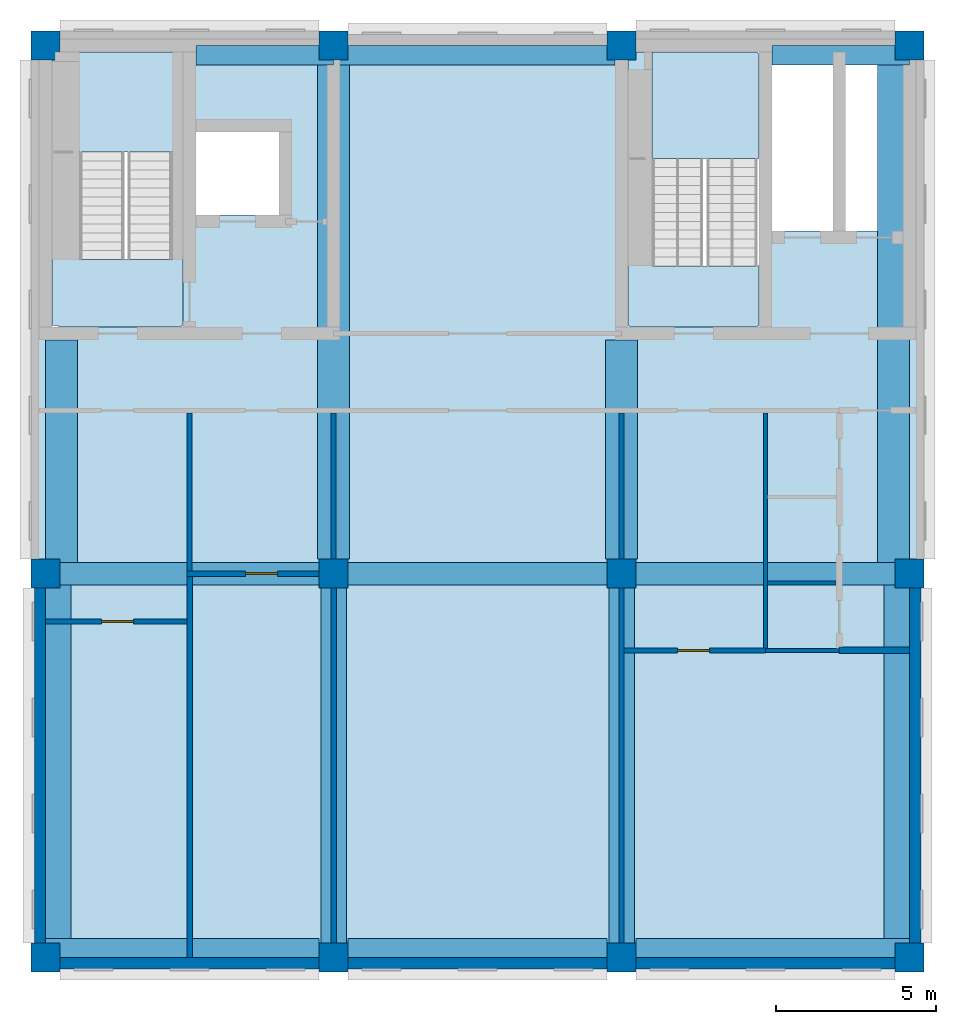
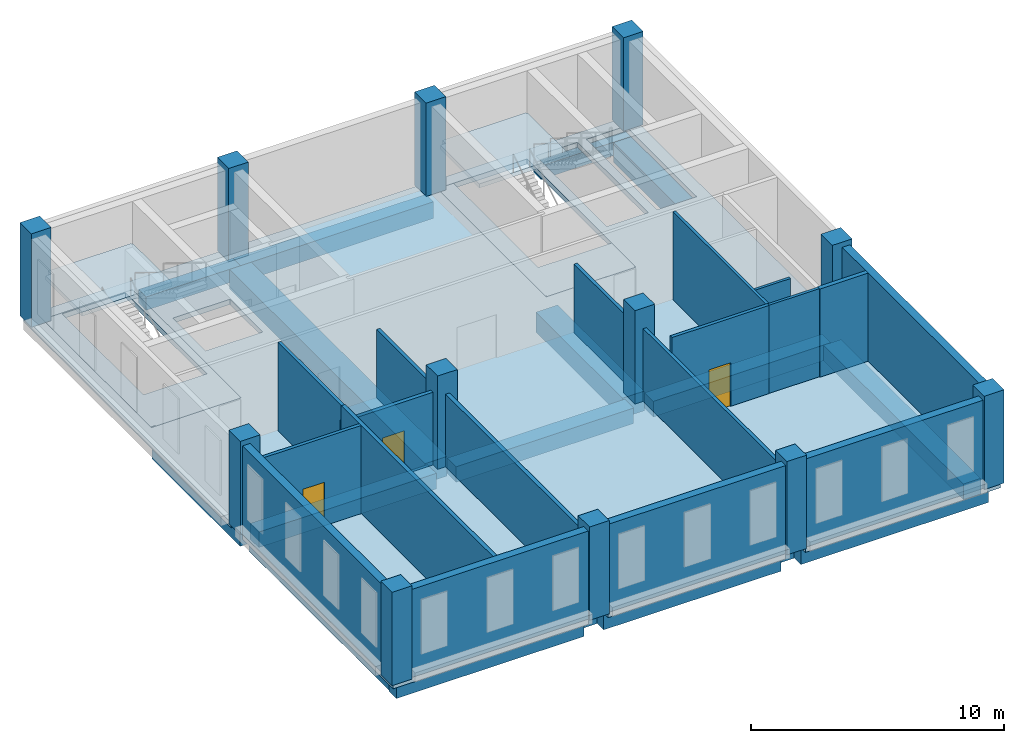
# One storey, part 1 of 5: 18 walls, 17 beams, 12 columns, 5 slabs, 3 doors, 3 openings, 2 elements without a shape of their own.
"""IFC4 building model written with IfcOpenShell, lengths in metres."""

from ifc_helpers import new_model, si_unit, direction, frame, frame_2d, origin, origin_2d, place, context, subcontext, project, spatial, polyline, rectangle, outline, extrude, material, layer, layer_set, material_profile, profile_set, type_object, element, fill, aggregate, save


model = new_model("IFC4")

# Units and contexts
model_context = context("Model", 3, precision=1e-05, world=origin(), true_north=direction((0.0, 1.0)))
body_context = subcontext(model_context, "Body", "Model", "MODEL_VIEW")
ifc_project = project(units=[si_unit("LENGTHUNIT", "METRE"), si_unit("AREAUNIT", "SQUARE_METRE"), si_unit("VOLUMEUNIT", "CUBIC_METRE"), si_unit("PLANEANGLEUNIT", "RADIAN"), si_unit("MASSUNIT", "GRAM", prefix="KILO")], contexts=[model_context])

# Site, building, storey
site_placement = place(None, origin())
site = spatial("IfcSite", under=ifc_project, at=site_placement, CompositionType="ELEMENT")
building_placement = place(site_placement, origin())
building = spatial("IfcBuilding", under=site, at=building_placement, Name="Aurelan Courthouse", CompositionType="ELEMENT")
storey_placement = place(building_placement, frame((0.0, 0.0, 53.39990234375)))
storey = spatial("IfcBuildingStorey", under=building, at=storey_placement, Name="L10", CompositionType="ELEMENT", Elevation=53.39990234375)

# Columns
ifc_material_1 = material(Name="Concrete C50", Category="concrete")
ifc_material_profile_1 = material_profile(ifc_material_1, rectangle(XDim=0.89990234375, YDim=0.89990234375, at=origin_2d()), Name="RC 900 x 900")
ifc_profile_set_1 = profile_set([ifc_material_profile_1], Name="Concrete C50")
column_type = type_object("IfcColumnType", Name="RC column 900 x 900 C50", PredefinedType="COLUMN", material=ifc_profile_set_1)
for number, where, z_axis, x_axis, name in (
    (1, (0.0, 0.0, 0.0), (0.0, 0.0, 1.0), (1.0, 0.0, 0.0), "Column C-A1-D"),
    (2, (9.0, 0.0, 0.0), (0.0, 0.0, 1.0), (1.0, 0.0, 0.0), "Column C-A2-D"),
    (3, (18.0, 0.0, 0.0), (0.0, 0.0, 1.0), (1.0, 0.0, 0.0), "Column C-A3-D"),
    (4, (27.0, 0.0, 0.0), (0.0, 0.0, 1.0), (1.0, 0.0, 0.0), "Column C-A4-D"),
    (5, (0.0, 12.0, 0.0), (0.0, 0.0, 1.0), (1.0, 0.0, 0.0), "Column C-B1-D"),
    (6, (9.0, 12.0, 0.0), (0.0, 0.0, 1.0), (1.0, 0.0, 0.0), "Column C-B2-D"),
    (7, (18.0, 12.0, 0.0), (0.0, 0.0, 1.0), (1.0, 0.0, 0.0), "Column C-B3-D"),
    (8, (27.0, 12.0, 0.0), (0.0, 0.0, 1.0), (1.0, 0.0, 0.0), "Column C-B4-D"),
    (9, (0.0, 28.5, 0.0), (0.0, 0.0, 1.0), (1.0, 0.0, 0.0), "Column C-C1-D"),
    (10, (9.0, 28.5, 0.0), (0.0, 0.0, 1.0), (1.0, 0.0, 0.0), "Column C-C2-D"),
    (11, (18.0, 28.5, 0.0), (0.0, 0.0, 1.0), (1.0, 0.0, 0.0), "Column C-C3-D"),
    (12, (27.0, 28.5, 0.0), (0.0, 0.0, 1.0), (1.0, 0.0, 0.0), "Column C-C4-D"),
):
    element("IfcColumn", number, at=place(storey_placement, frame(where, z_axis=z_axis, x_axis=x_axis)), inside=storey, type_object=column_type, Name=name, PredefinedType="COLUMN", context=body_context, shape_type="SweptSolid", body=[
        extrude(rectangle(XDim=0.89990234375, YDim=0.89990234375, at=origin_2d()), origin(), (0.0, 0.0, 1.0), 4.5),
    ])

# Beams
ifc_material_profile_2 = material_profile(ifc_material_1, rectangle(XDim=0.699951171875, YDim=0.75, at=origin_2d()), Name="RC 700 x 750")
ifc_profile_set_2 = profile_set([ifc_material_profile_2], Name="Concrete C50")
beam_type_1 = type_object("IfcBeamType", Name="PT beam 700 x 750", PredefinedType="BEAM", material=ifc_profile_set_2)
for number, where, z_axis, x_axis, name in (
    (13, (0.449951171875, 12.0, -0.625), (1.0, 0.0, 0.0), (0.0, 1.0, 0.0), "Beam EB-B-1-2"),
    (14, (9.449951171875, 12.0, -0.625), (1.0, 0.0, 0.0), (0.0, 1.0, 0.0), "Beam EB-B-2-3"),
    (15, (18.449951171875, 12.0, -0.625), (1.0, 0.0, 0.0), (0.0, 1.0, 0.0), "Beam EB-B-3-4"),
):
    element("IfcBeam", number, at=place(storey_placement, frame(where, z_axis=z_axis, x_axis=x_axis)), inside=storey, type_object=beam_type_1, Name=name, PredefinedType="BEAM", context=body_context, shape_type="SweptSolid", body=[
        extrude(rectangle(XDim=0.699951171875, YDim=0.75, at=origin_2d()), origin(), (0.0, 0.0, 1.0), 8.10009765625),
    ])
ifc_material_profile_3 = material_profile(ifc_material_1, rectangle(XDim=1.0, YDim=0.949951171875, at=origin_2d()), Name="RC 1000 x 950")
ifc_profile_set_3 = profile_set([ifc_material_profile_3], Name="Concrete C50")
beam_type_2 = type_object("IfcBeamType", Name="PT girder 1000 x 950", PredefinedType="BEAM", material=ifc_profile_set_3)
beam_1_placement = place(storey_placement, frame((0.5, 12.35009765625, -0.724853515625), z_axis=(0.0, 1.0, 0.0), x_axis=(-1.0, 0.0, 0.0)))
element("IfcBeam", 16, at=beam_1_placement, inside=storey, type_object=beam_type_2, Name="Girder GB-1BC-E", PredefinedType="BEAM", context=body_context, shape_type="SweptSolid", body=[
    extrude(rectangle(XDim=1.0, YDim=0.949951171875, at=origin_2d()), origin(), (0.0, 0.0, 1.0), 6.949951171875),
])
beam_2_placement = place(storey_placement, frame((9.0, 12.449951171875, -0.724853515625), z_axis=(0.0, 1.0, 0.0), x_axis=(-1.0, 0.0, 0.0)))
element("IfcBeam", 17, at=beam_2_placement, inside=storey, type_object=beam_type_2, Name="Girder GB-2BC", PredefinedType="BEAM", context=body_context, shape_type="SweptSolid", body=[
    extrude(rectangle(XDim=1.0, YDim=0.949951171875, at=origin_2d()), origin(), (0.0, 0.0, 1.0), 15.449951171875),
])
beam_3_placement = place(storey_placement, frame((18.0, 12.449951171875, -0.724853515625), z_axis=(0.0, 1.0, 0.0), x_axis=(-1.0, 0.0, 0.0)))
element("IfcBeam", 18, at=beam_3_placement, inside=storey, type_object=beam_type_2, Name="Girder GB-3BC", PredefinedType="BEAM", context=body_context, shape_type="SweptSolid", body=[
    extrude(rectangle(XDim=1.0, YDim=0.949951171875, at=origin_2d()), origin(), (0.0, 0.0, 1.0), 6.85009765625),
])
beam_4_placement = place(storey_placement, frame((26.5, 12.35009765625, -0.724853515625), z_axis=(0.0, 1.0, 0.0), x_axis=(-1.0, 0.0, 0.0)))
element("IfcBeam", 19, at=beam_4_placement, inside=storey, type_object=beam_type_2, Name="Girder GB-4BC-E", PredefinedType="BEAM", context=body_context, shape_type="SweptSolid", body=[
    extrude(rectangle(XDim=1.0, YDim=0.949951171875, at=origin_2d()), origin(), (0.0, 0.0, 1.0), 15.5498046875),
])
ifc_material_profile_4 = material_profile(ifc_material_1, rectangle(XDim=0.800048828125, YDim=0.75, at=origin_2d()), Name="RC 800 x 750")
ifc_profile_set_4 = profile_set([ifc_material_profile_4], Name="Concrete C50")
beam_type_3 = type_object("IfcBeamType", Name="PT girder 800 x 750", PredefinedType="BEAM", material=ifc_profile_set_4)
beam_5_placement = place(storey_placement, frame((0.39990234375, 0.60009765625, -0.625), z_axis=(0.0, 1.0, 0.0), x_axis=(-1.0, 0.0, 0.0)))
element("IfcBeam", 20, at=beam_5_placement, inside=storey, type_object=beam_type_3, Name="Girder GB-1AB-E", PredefinedType="BEAM", context=body_context, shape_type="SweptSolid", body=[
    extrude(rectangle(XDim=0.800048828125, YDim=0.75, at=origin_2d()), origin(), (0.0, 0.0, 1.0), 11.0498046875),
])
for number, where, z_axis, x_axis, name in (
    (21, (9.0, 0.449951171875, -0.625), (0.0, 1.0, 0.0), (-1.0, 0.0, 0.0), "Girder GB-2AB"),
    (22, (18.0, 0.449951171875, -0.625), (0.0, 1.0, 0.0), (-1.0, 0.0, 0.0), "Girder GB-3AB"),
):
    element("IfcBeam", number, at=place(storey_placement, frame(where, z_axis=z_axis, x_axis=x_axis)), inside=storey, type_object=beam_type_3, Name=name, PredefinedType="BEAM", context=body_context, shape_type="SweptSolid", body=[
        extrude(rectangle(XDim=0.800048828125, YDim=0.75, at=origin_2d()), origin(), (0.0, 0.0, 1.0), 11.10009765625),
    ])
beam_6_placement = place(storey_placement, frame((26.60009765625, 0.60009765625, -0.625), z_axis=(0.0, 1.0, 0.0), x_axis=(-1.0, 0.0, 0.0)))
element("IfcBeam", 23, at=beam_6_placement, inside=storey, type_object=beam_type_3, Name="Girder GB-4AB-E", PredefinedType="BEAM", context=body_context, shape_type="SweptSolid", body=[
    extrude(rectangle(XDim=0.800048828125, YDim=0.75, at=origin_2d()), origin(), (0.0, 0.0, 1.0), 11.0498046875),
])
ifc_material_profile_5 = material_profile(ifc_material_1, rectangle(XDim=0.60009765625, YDim=0.64990234375, at=origin_2d()), Name="RC 600 x 650")
ifc_profile_set_5 = profile_set([ifc_material_profile_5], Name="Concrete C50")
beam_type_4 = type_object("IfcBeamType", Name="RC spandrel beam 600 x 650", PredefinedType="SPANDREL", material=ifc_profile_set_5)
for number, where, z_axis, x_axis, name in (
    (24, (4.699951171875, 28.199951171875, -0.574951171875), (1.0, 0.0, 0.0), (0.0, 1.0, 0.0), "Spandrel beam SB-C-1-2"),
    (25, (22.699951171875, 28.199951171875, -0.574951171875), (1.0, 0.0, 0.0), (0.0, 1.0, 0.0), "Spandrel beam SB-C-3-4"),
):
    element("IfcBeam", number, at=place(storey_placement, frame(where, z_axis=z_axis, x_axis=x_axis)), inside=storey, type_object=beam_type_4, Name=name, PredefinedType="SPANDREL", context=body_context, shape_type="SweptSolid", body=[
        extrude(rectangle(XDim=0.60009765625, YDim=0.64990234375, at=origin_2d()), origin(), (0.0, 0.0, 1.0), 4.300048828125),
    ])
ifc_material_profile_6 = material_profile(ifc_material_1, rectangle(XDim=0.60009765625, YDim=0.800048828125, at=origin_2d()), Name="RC 600 x 800")
ifc_profile_set_6 = profile_set([ifc_material_profile_6], Name="Concrete C50")
beam_type_5 = type_object("IfcBeamType", Name="RC spandrel beam 600 x 800", PredefinedType="SPANDREL", material=ifc_profile_set_6)
beam_7_placement = place(storey_placement, frame((0.0, 0.300048828125, -0.64990234375), z_axis=(1.0, 0.0, 0.0), x_axis=(0.0, 1.0, 0.0)))
element("IfcBeam", 26, at=beam_7_placement, inside=storey, type_object=beam_type_5, Name="Spandrel beam SB-A-1-2", PredefinedType="SPANDREL", context=body_context, shape_type="SweptSolid", body=[
    extrude(rectangle(XDim=0.60009765625, YDim=0.800048828125, at=origin_2d()), origin(), (0.0, 0.0, 1.0), 8.550048828125),
])
beam_8_placement = place(storey_placement, frame((9.449951171875, 0.300048828125, -0.64990234375), z_axis=(1.0, 0.0, 0.0), x_axis=(0.0, 1.0, 0.0)))
element("IfcBeam", 27, at=beam_8_placement, inside=storey, type_object=beam_type_5, Name="Spandrel beam SB-A-2-3", PredefinedType="SPANDREL", context=body_context, shape_type="SweptSolid", body=[
    extrude(rectangle(XDim=0.60009765625, YDim=0.800048828125, at=origin_2d()), origin(), (0.0, 0.0, 1.0), 8.10009765625),
])
beam_9_placement = place(storey_placement, frame((18.449951171875, 0.300048828125, -0.64990234375), z_axis=(1.0, 0.0, 0.0), x_axis=(0.0, 1.0, 0.0)))
element("IfcBeam", 28, at=beam_9_placement, inside=storey, type_object=beam_type_5, Name="Spandrel beam SB-A-3-4", PredefinedType="SPANDREL", context=body_context, shape_type="SweptSolid", body=[
    extrude(rectangle(XDim=0.60009765625, YDim=0.800048828125, at=origin_2d()), origin(), (0.0, 0.0, 1.0), 8.550048828125),
])
beam_10_placement = place(storey_placement, frame((9.0, 28.199951171875, -0.64990234375), z_axis=(1.0, 0.0, 0.0), x_axis=(0.0, 1.0, 0.0)))
element("IfcBeam", 29, at=beam_10_placement, inside=storey, type_object=beam_type_5, Name="Spandrel beam SB-C-2-3", PredefinedType="SPANDREL", context=body_context, shape_type="SweptSolid", body=[
    extrude(rectangle(XDim=0.60009765625, YDim=0.800048828125, at=origin_2d()), origin(), (0.0, 0.0, 1.0), 8.800048828125),
])

# Slab
ifc_material_2 = material(Name="Concrete C40", Category="concrete")
ifc_layer_1 = layer(ifc_material_2, 0.25)
ifc_layer_set_1 = layer_set([ifc_layer_1], Name="Concrete C40")
slab_type_1 = type_object("IfcSlabType", Name="PT floor slab 250", PredefinedType="FLOOR", material=ifc_layer_set_1)
slab_1_placement = place(storey_placement, frame((0.0, 0.0, -0.25)))
element("IfcSlab", 30, at=slab_1_placement, inside=storey, type_object=slab_type_1, Name="Floor slab SL-L10-01", PredefinedType="FLOOR", context=body_context, shape_type="SweptSolid", body=[
    extrude(outline(polyline([(0.0, 12.449951171875), (0.0, 11.550048828125), (-0.35009765625, 11.550048828125), (-0.35009765625, 0.449951171875), (-0.35009765625, -0.35009765625), (0.449951171875, -0.35009765625), (8.550048828125, -0.35009765625), (8.550048828125, 0.0), (9.449951171875, 0.0), (9.449951171875, -0.35009765625), (17.550048828125, -0.35009765625), (17.550048828125, 0.0), (18.449951171875, 0.0), (18.449951171875, -0.35009765625), (26.550048828125, -0.35009765625), (27.35009765625, -0.35009765625), (27.35009765625, 0.449951171875), (27.35009765625, 11.550048828125), (27.0, 11.550048828125), (27.0, 12.449951171875), (27.35009765625, 12.449951171875), (27.35009765625, 28.050048828125), (27.35009765625, 28.85009765625), (26.550048828125, 28.85009765625), (18.449951171875, 28.85009765625), (18.449951171875, 28.5), (17.550048828125, 28.5), (17.550048828125, 28.85009765625), (9.449951171875, 28.85009765625), (9.449951171875, 28.5), (8.550048828125, 28.5), (8.550048828125, 28.85009765625), (0.449951171875, 28.85009765625), (-0.35009765625, 28.85009765625), (-0.35009765625, 28.050048828125), (-0.35009765625, 12.449951171875), (0.0, 12.449951171875)]), holes=[polyline([(26.800048828125, 28.300048828125), (26.800048828125, 22.699951171875), (25.0, 22.699951171875), (25.0, 28.300048828125), (26.800048828125, 28.300048828125)]), polyline([(22.699951171875, 28.300048828125), (24.60009765625, 28.300048828125), (24.60009765625, 22.699951171875), (22.699951171875, 22.699951171875), (22.699951171875, 28.300048828125)]), polyline([(22.300048828125, 28.300048828125), (22.300048828125, 19.699951171875), (18.199951171875, 19.699951171875), (18.199951171875, 28.300048828125), (22.300048828125, 28.300048828125)]), polyline([(4.699951171875, 23.199951171875), (4.699951171875, 25.800048828125), (7.300048828125, 25.800048828125), (7.300048828125, 23.199951171875), (4.699951171875, 23.199951171875)]), polyline([(4.300048828125, 19.699951171875), (0.199951171875, 19.699951171875), (0.199951171875, 28.300048828125), (4.300048828125, 28.300048828125), (4.300048828125, 19.699951171875)])]), origin(), (0.0, 0.0, 1.0), 0.25),
])

# Stair, slab
ifc_material_3 = material(Name="Concrete C30", Category="concrete")
stair_type_1 = type_object("IfcStairType", Name="Half-turn stair 1600 wide 26 risers", PredefinedType="HALF_TURN_STAIR", material=ifc_material_3)
stair_1_placement = place(storey_placement, origin())
stair_1 = element("IfcStair", 31, at=stair_1_placement, inside=storey, type_object=stair_type_1, Name="Stair ST-5A-L10", PredefinedType="HALF_TURN_STAIR")
ifc_layer_2 = layer(ifc_material_3, 0.25)
ifc_layer_set_2 = layer_set([ifc_layer_2], Name="Concrete C30")
slab_type_2 = type_object("IfcSlabType", Name="Stair floor landing 250 thick", PredefinedType="LANDING", material=ifc_layer_set_2)
slab_2_placement = place(storey_placement, frame((0.0, 0.0, -0.25)))
slab_2 = element("IfcSlab", 32, at=slab_2_placement, type_object=slab_type_2, Name="Stair ST-5A-L10 floor landing", PredefinedType="LANDING", context=body_context, shape_type="SweptSolid", body=[
    extrude(outline(polyline([(22.300048828125, 21.611083984375), (22.300048828125, 19.75), (22.25, 19.75), (22.25, 19.699951171875), (18.25, 19.699951171875), (18.25, 19.75), (18.199951171875, 19.75), (18.199951171875, 28.050048828125), (18.449951171875, 28.050048828125), (18.449951171875, 28.300048828125), (18.949951171875, 28.300048828125), (18.949951171875, 28.25), (18.949951171875, 28.239990234375), (18.949951171875, 21.611083984375), (20.64990234375, 21.611083984375), (22.239990234375, 21.611083984375), (22.25, 21.611083984375), (22.300048828125, 21.611083984375)])), origin(), (0.0, 0.0, 1.0), 0.25),
])

stair_type_2 = type_object("IfcStairType", Name="Half-turn stair 1400 wide 26 risers", PredefinedType="HALF_TURN_STAIR", material=ifc_material_3)
stair_2_placement = place(storey_placement, origin())
stair_2 = element("IfcStair", 33, at=stair_2_placement, inside=storey, type_object=stair_type_2, Name="Stair ST-5B-L10", PredefinedType="HALF_TURN_STAIR")
slab_3_placement = place(storey_placement, frame((0.0, 0.0, -0.25)))
slab_3 = element("IfcSlab", 34, at=slab_3_placement, type_object=slab_type_2, Name="Stair ST-5B-L10 floor landing", PredefinedType="LANDING", context=body_context, shape_type="SweptSolid", body=[
    extrude(outline(polyline([(0.39990234375, 19.699951171875), (0.39990234375, 19.75), (0.199951171875, 19.75), (0.199951171875, 28.050048828125), (0.449951171875, 28.050048828125), (0.449951171875, 28.300048828125), (4.25, 28.300048828125), (4.25, 28.25), (4.300048828125, 28.25), (4.300048828125, 19.75), (4.25, 19.75), (4.25, 19.699951171875), (0.39990234375, 19.699951171875)]), holes=[polyline([(3.9599609375, 21.81103515625), (3.9599609375, 28.239990234375), (1.06005859375, 28.239990234375), (1.06005859375, 21.81103515625), (2.56005859375, 21.81103515625), (3.9599609375, 21.81103515625)])]), origin(), (0.0, 0.0, 1.0), 0.25),
])

# Slab
ifc_layer_3 = layer(ifc_material_3, 0.199951171875)
ifc_layer_set_3 = layer_set([ifc_layer_3], Name="Concrete C30")
slab_type_3 = type_object("IfcSlabType", Name="Stair half landing 200 thick", PredefinedType="LANDING", material=ifc_layer_set_3)
slab_4_placement = place(storey_placement, frame((0.0, 0.0, 2.050048828125)))
slab_4 = element("IfcSlab", 35, at=slab_4_placement, type_object=slab_type_3, Name="Stair ST-5A-L10 half landing", PredefinedType="LANDING", context=body_context, shape_type="SweptSolid", body=[
    extrude(outline(polyline([(22.300048828125, 24.969970703125), (18.199951171875, 24.969970703125), (18.199951171875, 28.050048828125), (18.449951171875, 28.050048828125), (18.449951171875, 28.300048828125), (22.25, 28.300048828125), (22.25, 28.25), (22.300048828125, 28.25), (22.300048828125, 24.969970703125)])), origin(), (0.0, 0.0, 1.0), 0.199951171875),
])

aggregate(stair_1, [slab_4, slab_2])

slab_5_placement = place(storey_placement, frame((0.0, 0.0, 2.050048828125)))
slab_5 = element("IfcSlab", 36, at=slab_5_placement, type_object=slab_type_3, Name="Stair ST-5B-L10 half landing", PredefinedType="LANDING", context=body_context, shape_type="SweptSolid", body=[
    extrude(outline(polyline([(4.300048828125, 25.169921875), (0.199951171875, 25.169921875), (0.199951171875, 28.050048828125), (0.449951171875, 28.050048828125), (0.449951171875, 28.300048828125), (4.25, 28.300048828125), (4.25, 28.25), (4.300048828125, 28.25), (4.300048828125, 25.169921875)])), origin(), (0.0, 0.0, 1.0), 0.199951171875),
])

aggregate(stair_2, [slab_5, slab_3])

# Wall, opening, door
ifc_material_4 = material(Name="Gypsum board on metal studs")
ifc_layer_4 = layer(ifc_material_4, 0.175048828125)
ifc_layer_set_4 = layer_set([ifc_layer_4], Name="Gypsum board on metal studs")
wall_type_1 = type_object("IfcWallType", Name="Chambers acoustic partition 175 NOT RATED", PredefinedType="PARTITIONING", material=ifc_layer_set_4)
wall_1_placement = place(storey_placement, frame((4.41259765625, 12.0, 0.0), z_axis=(0.0, 0.0, 1.0), x_axis=(1.0, 0.0, 0.0)))
wall_1 = element("IfcWall", 37, at=wall_1_placement, inside=storey, type_object=wall_type_1, Name="Chambers acoustic partition L10-006", PredefinedType="PARTITIONING", context=body_context, shape_type="SweptSolid", body=[
    extrude(rectangle(XDim=4.137451171875, YDim=0.175048828125, at=frame_2d((2.06884765625, 0.0))), origin(), (0.0, 0.0, 1.0), 3.5),
])
opening_1_placement = place(wall_1_placement, frame((2.83740234375, 0.0, 0.0), z_axis=(0.0, 0.0, 1.0), x_axis=(-1.0, 0.0, 0.0)))
opening_1 = element("IfcOpeningElement", 38, at=opening_1_placement, cuts=wall_1, Name="Opening D-L10-013", PredefinedType="OPENING", context=body_context, shape_type="SweptSolid", body=[
    extrude(rectangle(XDim=1.0, YDim=2.10009765625, at=frame_2d((0.5, 1.050048828125))), frame((0.0, 0.097412109375, 0.0), z_axis=(0.0, -1.0, 0.0), x_axis=(1.0, 0.0, 0.0)), (0.0, 0.0, 1.0), 0.195068359375),
])
ifc_material_5 = material(Name="Timber", Category="wood")
door_type = type_object("IfcDoorType", Name="Single door 1000 x 2100 NOT RATED", OperationType="SINGLE_SWING_LEFT", PredefinedType="DOOR", material=ifc_material_5)
door_1_placement = place(opening_1_placement, origin())
door_1 = element("IfcDoor", 39, at=door_1_placement, inside=storey, type_object=door_type, Name="Single door D-L10-013", OperationType="SINGLE_SWING_LEFT", OverallHeight=2.10009765625, OverallWidth=1.0, PredefinedType="DOOR", context=body_context, shape_type="SweptSolid", body=[
    extrude(rectangle(XDim=1.0, YDim=2.10009765625, at=frame_2d((0.5, 1.050048828125))), frame((0.0, 0.02490234375, 0.0), z_axis=(0.0, -1.0, 0.0), x_axis=(1.0, 0.0, 0.0)), (0.0, 0.0, 1.0), 0.050048828125),
])
fill(opening_1, door_1)

# Walls
wall_2_placement = place(storey_placement, frame((4.5, 0.0, 0.0), z_axis=(0.0, 0.0, 1.0), x_axis=(0.0, 1.0, 0.0)))
element("IfcWall", 40, at=wall_2_placement, inside=storey, type_object=wall_type_1, Name="Chambers acoustic partition L10-012", PredefinedType="PARTITIONING", context=body_context, shape_type="SweptSolid", body=[
    extrude(rectangle(XDim=12.0, YDim=0.175048828125, at=frame_2d((6.0, 0.0))), origin(), (0.0, 0.0, 1.0), 4.25),
])
wall_3_placement = place(storey_placement, frame((9.0, 0.449951171875, 0.0), z_axis=(0.0, 0.0, 1.0), x_axis=(0.0, 1.0, 0.0)))
element("IfcWall", 41, at=wall_3_placement, inside=storey, type_object=wall_type_1, Name="Chambers acoustic partition L10-014", PredefinedType="PARTITIONING", context=body_context, shape_type="SweptSolid", body=[
    extrude(rectangle(XDim=11.10009765625, YDim=0.175048828125, at=frame_2d((5.550048828125, 0.0))), origin(), (0.0, 0.0, 1.0), 3.5),
])
ifc_material_6 = material(Name="Limestone cladding", Category="masonry")
ifc_layer_5 = layer(ifc_material_6, 0.10009765625, Name="Facing")
ifc_material_7 = material(Name="Ventilated cavity")
ifc_layer_6 = layer(ifc_material_7, 0.02490234375, ventilated=True, Name="Ventilated cavity")
ifc_material_8 = material(Name="Mineral wool insulation")
ifc_layer_7 = layer(ifc_material_8, 0.050048828125, Name="Insulation")
ifc_layer_8 = layer(ifc_material_3, 0.175048828125, Name="Structure")
ifc_layer_set_5 = layer_set([ifc_layer_5, ifc_layer_6, ifc_layer_7, ifc_layer_8], Name="Concrete C30")
wall_type_2 = type_object("IfcWallType", Name="Courts' Floors stone-faced wall 350", PredefinedType="SOLIDWALL", material=ifc_layer_set_5)
for number, where, z_axis, x_axis, name in (
    (42, (0.449951171875, -0.175048828125, 0.0), (0.0, 0.0, 1.0), (1.0, 0.0, 0.0), "Facade wall FW-V5-L10-001"),
    (43, (9.449951171875, -0.175048828125, 0.0), (0.0, 0.0, 1.0), (1.0, 0.0, 0.0), "Facade wall FW-V5-L10-002"),
    (44, (18.449951171875, -0.175048828125, 0.0), (0.0, 0.0, 1.0), (1.0, 0.0, 0.0), "Facade wall FW-V5-L10-003"),
):
    element("IfcWall", number, at=place(storey_placement, frame(where, z_axis=z_axis, x_axis=x_axis)), inside=storey, type_object=wall_type_2, Name=name, PredefinedType="SOLIDWALL", context=body_context, shape_type="SweptSolid", body=[
        extrude(rectangle(XDim=8.10009765625, YDim=0.35009765625, at=frame_2d((4.050048828125, 0.0))), origin(), (0.0, 0.0, 1.0), 4.25),
    ])
for number, where, z_axis, x_axis, name in (
    (45, (27.175048828125, 0.449951171875, 0.0), (0.0, 0.0, 1.0), (0.0, 1.0, 0.0), "Facade wall FW-V5-L10-007"),
    (46, (-0.175048828125, 0.449951171875, 0.0), (0.0, 0.0, 1.0), (0.0, 1.0, 0.0), "Facade wall FW-V5-L10-009"),
):
    element("IfcWall", number, at=place(storey_placement, frame(where, z_axis=z_axis, x_axis=x_axis)), inside=storey, type_object=wall_type_2, Name=name, PredefinedType="SOLIDWALL", context=body_context, shape_type="SweptSolid", body=[
        extrude(rectangle(XDim=11.10009765625, YDim=0.35009765625, at=frame_2d((5.550048828125, 0.0))), origin(), (0.0, 0.0, 1.0), 4.25),
    ])
ifc_material_9 = material(Name="Masonry block", Category="masonry")
ifc_layer_9 = layer(ifc_material_9, 0.199951171875)
ifc_layer_set_6 = layer_set([ifc_layer_9], Name="Masonry block")
wall_type_3 = type_object("IfcWallType", Name="Lift lobby wall 200 EI 60", PredefinedType="PARTITIONING", material=ifc_layer_set_6)
wall_4_placement = place(storey_placement, frame((24.800048828125, 9.60009765625, 0.0), z_axis=(0.0, 0.0, 1.0), x_axis=(1.0, 0.0, 0.0)))
element("IfcWall", 47, at=wall_4_placement, inside=storey, type_object=wall_type_3, Name="Lift lobby wall L10-003", PredefinedType="PARTITIONING", context=body_context, shape_type="SweptSolid", body=[
    extrude(rectangle(XDim=2.199951171875, YDim=0.199951171875, at=frame_2d((1.10009765625, 0.0))), origin(), (0.0, 0.0, 1.0), 4.25),
])

# Wall, opening, door
ifc_layer_10 = layer(ifc_material_4, 0.14990234375)
ifc_layer_set_7 = layer_set([ifc_layer_10], Name="Gypsum board on metal studs")
wall_type_4 = type_object("IfcWallType", Name="Partition 150 NOT RATED", PredefinedType="PARTITIONING", material=ifc_layer_set_7)
wall_5_placement = place(storey_placement, frame((18.074951171875, 9.60009765625, 0.0), z_axis=(0.0, 0.0, 1.0), x_axis=(1.0, 0.0, 0.0)))
wall_5 = element("IfcWall", 48, at=wall_5_placement, inside=storey, type_object=wall_type_4, Name="Partition L10-001", PredefinedType="PARTITIONING", context=body_context, shape_type="SweptSolid", body=[
    extrude(rectangle(XDim=4.425048828125, YDim=0.14990234375, at=frame_2d((2.21240234375, 0.0))), origin(), (0.0, 0.0, 1.0), 4.25),
])
opening_2_placement = place(wall_5_placement, frame((2.675048828125, 0.0, 0.0), z_axis=(0.0, 0.0, 1.0), x_axis=(-1.0, 0.0, 0.0)))
opening_2 = element("IfcOpeningElement", 49, at=opening_2_placement, cuts=wall_5, Name="Opening D-L10-018", PredefinedType="OPENING", context=body_context, shape_type="SweptSolid", body=[
    extrude(rectangle(XDim=1.0, YDim=2.10009765625, at=frame_2d((0.5, 1.050048828125))), frame((0.0, 0.0849609375, 0.0), z_axis=(0.0, -1.0, 0.0), x_axis=(1.0, 0.0, 0.0)), (0.0, 0.0, 1.0), 0.169921875),
])
door_2_placement = place(opening_2_placement, origin())
door_2 = element("IfcDoor", 50, at=door_2_placement, inside=storey, type_object=door_type, Name="Single door D-L10-018", OperationType="SINGLE_SWING_RIGHT", OverallHeight=2.10009765625, OverallWidth=1.0, PredefinedType="DOOR", context=body_context, shape_type="SweptSolid", body=[
    extrude(rectangle(XDim=1.0, YDim=2.10009765625, at=frame_2d((0.5, 1.050048828125))), frame((0.0, 0.02490234375, 0.0), z_axis=(0.0, -1.0, 0.0), x_axis=(1.0, 0.0, 0.0)), (0.0, 0.0, 1.0), 0.050048828125),
])
fill(opening_2, door_2)

wall_6_placement = place(storey_placement, frame((0.0, 10.5, 0.0), z_axis=(0.0, 0.0, 1.0), x_axis=(1.0, 0.0, 0.0)))
wall_6 = element("IfcWall", 51, at=wall_6_placement, inside=storey, type_object=wall_type_4, Name="Partition L10-004", PredefinedType="PARTITIONING", context=body_context, shape_type="SweptSolid", body=[
    extrude(rectangle(XDim=4.41259765625, YDim=0.14990234375, at=frame_2d((2.206298828125, 0.0))), origin(), (0.0, 0.0, 1.0), 4.25),
])
opening_3_placement = place(wall_6_placement, frame((2.75, 0.0, 0.0), z_axis=(0.0, 0.0, 1.0), x_axis=(-1.0, 0.0, 0.0)))
opening_3 = element("IfcOpeningElement", 52, at=opening_3_placement, cuts=wall_6, Name="Opening D-L10-011", PredefinedType="OPENING", context=body_context, shape_type="SweptSolid", body=[
    extrude(rectangle(XDim=1.0, YDim=2.10009765625, at=frame_2d((0.5, 1.050048828125))), frame((0.0, 0.0849609375, 0.0), z_axis=(0.0, -1.0, 0.0), x_axis=(1.0, 0.0, 0.0)), (0.0, 0.0, 1.0), 0.169921875),
])
door_3_placement = place(opening_3_placement, origin())
door_3 = element("IfcDoor", 53, at=door_3_placement, inside=storey, type_object=door_type, Name="Single door D-L10-011", OperationType="SINGLE_SWING_LEFT", OverallHeight=2.10009765625, OverallWidth=1.0, PredefinedType="DOOR", context=body_context, shape_type="SweptSolid", body=[
    extrude(rectangle(XDim=1.0, YDim=2.10009765625, at=frame_2d((0.5, 1.050048828125))), frame((0.0, 0.02490234375, 0.0), z_axis=(0.0, -1.0, 0.0), x_axis=(1.0, 0.0, 0.0)), (0.0, 0.0, 1.0), 0.050048828125),
])
fill(opening_3, door_3)

# Walls
wall_7_placement = place(storey_placement, frame((4.5, 12.0, 0.0), z_axis=(0.0, 0.0, 1.0), x_axis=(0.0, 1.0, 0.0)))
element("IfcWall", 54, at=wall_7_placement, inside=storey, type_object=wall_type_4, Name="Partition L10-013", PredefinedType="PARTITIONING", context=body_context, shape_type="SweptSolid", body=[
    extrude(rectangle(XDim=5.02490234375, YDim=0.14990234375, at=frame_2d((2.512451171875, 0.0))), origin(), (0.0, 0.0, 1.0), 4.25),
])
wall_8_placement = place(storey_placement, frame((9.0, 12.449951171875, 0.0), z_axis=(0.0, 0.0, 1.0), x_axis=(0.0, 1.0, 0.0)))
element("IfcWall", 55, at=wall_8_placement, inside=storey, type_object=wall_type_4, Name="Partition L10-015", PredefinedType="PARTITIONING", context=body_context, shape_type="SweptSolid", body=[
    extrude(rectangle(XDim=4.574951171875, YDim=0.14990234375, at=frame_2d((2.28759765625, 0.0))), origin(), (0.0, 0.0, 1.0), 3.300048828125),
])
wall_9_placement = place(storey_placement, frame((18.0, 0.449951171875, 0.0), z_axis=(0.0, 0.0, 1.0), x_axis=(0.0, 1.0, 0.0)))
element("IfcWall", 56, at=wall_9_placement, inside=storey, type_object=wall_type_4, Name="Partition L10-016", PredefinedType="PARTITIONING", context=body_context, shape_type="SweptSolid", body=[
    extrude(rectangle(XDim=11.10009765625, YDim=0.14990234375, at=frame_2d((5.550048828125, 0.0))), origin(), (0.0, 0.0, 1.0), 3.5),
])
wall_10_placement = place(storey_placement, frame((18.0, 12.449951171875, 0.0), z_axis=(0.0, 0.0, 1.0), x_axis=(0.0, 1.0, 0.0)))
element("IfcWall", 57, at=wall_10_placement, inside=storey, type_object=wall_type_4, Name="Partition L10-017", PredefinedType="PARTITIONING", context=body_context, shape_type="SweptSolid", body=[
    extrude(rectangle(XDim=4.574951171875, YDim=0.14990234375, at=frame_2d((2.28759765625, 0.0))), origin(), (0.0, 0.0, 1.0), 3.300048828125),
])
ifc_material_10 = material(Name="Moisture-resistant board on metal studs")
ifc_layer_11 = layer(ifc_material_10, 0.125)
ifc_layer_set_8 = layer_set([ifc_layer_11], Name="Moisture-resistant board on metal studs")
wall_type_5 = type_object("IfcWallType", Name="Wet-area partition 125 NOT RATED", PredefinedType="PARTITIONING", material=ifc_layer_set_8)
wall_11_placement = place(storey_placement, frame((22.5, 9.60009765625, 0.0), z_axis=(0.0, 0.0, 1.0), x_axis=(1.0, 0.0, 0.0)))
element("IfcWall", 58, at=wall_11_placement, inside=storey, type_object=wall_type_5, Name="Wet-area partition L10-002", PredefinedType="PARTITIONING", context=body_context, shape_type="SweptSolid", body=[
    extrude(rectangle(XDim=2.300048828125, YDim=0.125, at=frame_2d((1.14990234375, 0.0))), origin(), (0.0, 0.0, 1.0), 4.25),
])
wall_12_placement = place(storey_placement, frame((22.5625, 11.699951171875, 0.0), z_axis=(0.0, 0.0, 1.0), x_axis=(1.0, 0.0, 0.0)))
element("IfcWall", 59, at=wall_12_placement, inside=storey, type_object=wall_type_5, Name="Wet-area partition L10-005", PredefinedType="PARTITIONING", context=body_context, shape_type="SweptSolid", body=[
    extrude(rectangle(XDim=2.137451171875, YDim=0.125, at=frame_2d((1.06884765625, 0.0))), origin(), (0.0, 0.0, 1.0), 3.5),
])
wall_13_placement = place(storey_placement, frame((22.5, 9.66259765625, 0.0), z_axis=(0.0, 0.0, 1.0), x_axis=(0.0, 1.0, 0.0)))
element("IfcWall", 60, at=wall_13_placement, inside=storey, type_object=wall_type_5, Name="Wet-area partition L10-018", PredefinedType="PARTITIONING", context=body_context, shape_type="SweptSolid", body=[
    extrude(rectangle(XDim=7.3623046875, YDim=0.125, at=frame_2d((3.68115234375, 0.0))), origin(), (0.0, 0.0, 1.0), 4.25),
])

save(model, "model.ifc")
